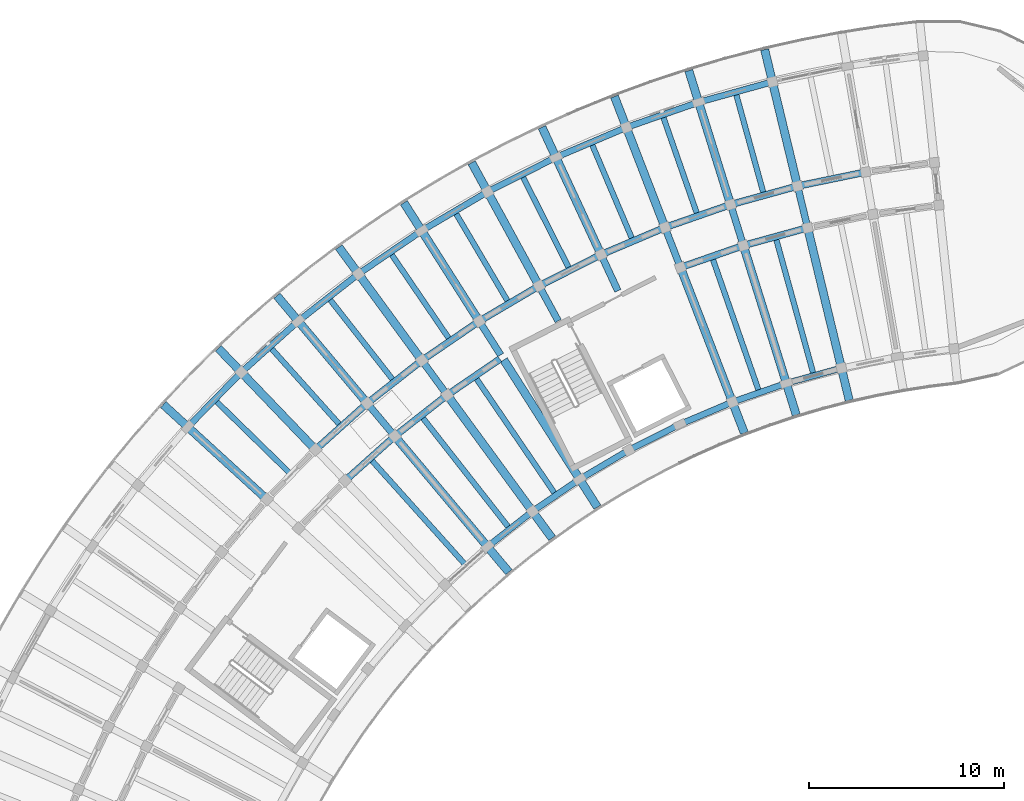
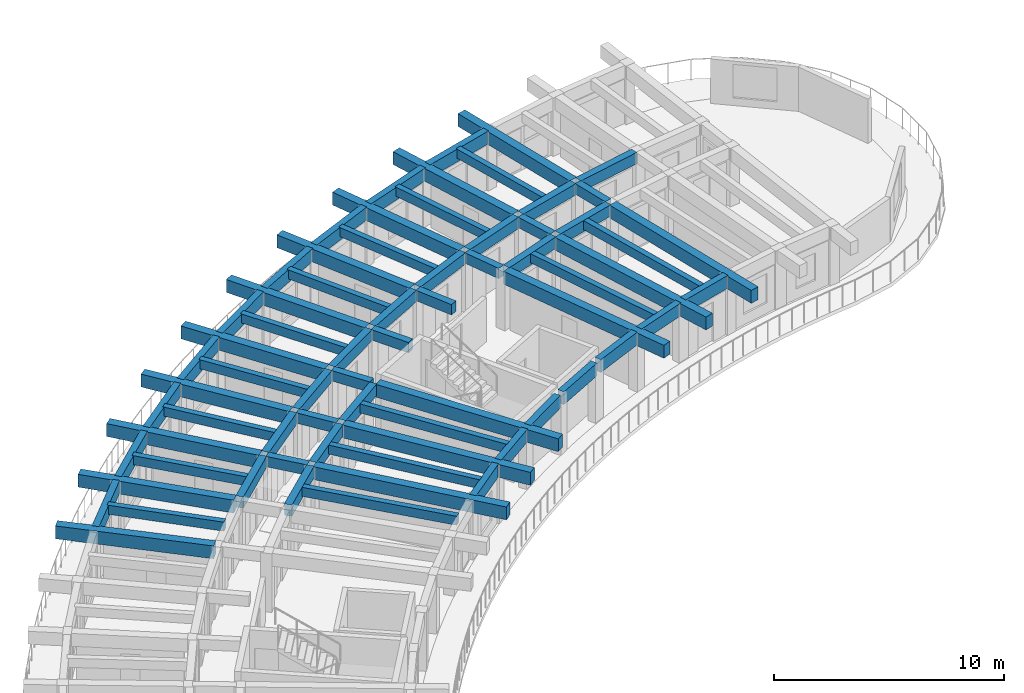
# One storey, part 15 of 83: 68 beams.
"""IFC4 building model written with IfcOpenShell, lengths in metres."""

from ifc_helpers import new_model, si_unit, direction, frame, origin, origin_2d, place, context, subcontext, project, spatial, rectangle, extrude, material, material_profile, profile_set, type_object, element, save


model = new_model("IFC4")

# Units and contexts
model_context = context("Model", 3, precision=1e-05, world=origin(), true_north=direction((0.0, 1.0)))
body_context = subcontext(model_context, "Body", "Model", "MODEL_VIEW")
ifc_project = project(units=[si_unit("LENGTHUNIT", "METRE"), si_unit("AREAUNIT", "SQUARE_METRE"), si_unit("VOLUMEUNIT", "CUBIC_METRE"), si_unit("PLANEANGLEUNIT", "RADIAN"), si_unit("MASSUNIT", "GRAM", prefix="KILO")], contexts=[model_context])

# Site, building, storey
site_placement = place(None, origin())
site = spatial("IfcSite", under=ifc_project, at=site_placement, CompositionType="ELEMENT")
building_placement = place(site_placement, origin())
building = spatial("IfcBuilding", under=site, at=building_placement, Name="Tanwirah Colonnade Gardens", CompositionType="ELEMENT")
storey_placement = place(building_placement, frame((0.0, 0.0, 25.639892578125)))
storey = spatial("IfcBuildingStorey", under=building, at=storey_placement, Name="L07", CompositionType="ELEMENT", Elevation=25.639892578125)

# Beams
ifc_material_1 = material(Name="Precast concrete C40/50", Category="concrete")
ifc_material_profile_1 = material_profile(ifc_material_1, rectangle(XDim=0.35009765625, YDim=0.550048828125, at=origin_2d()), Name="PC-BM 350x550")
ifc_profile_set_1 = profile_set([ifc_material_profile_1], Name="Precast concrete C40/50")
beam_type_1 = type_object("IfcBeamType", Name="BM-PC350A", PredefinedType="BEAM", material=ifc_profile_set_1)
beam_1_placement = place(storey_placement, frame((52.811767578125, 110.75146484375, 2.835205078125), z_axis=(-0.234364199778, 0.972148868159, 0.0), x_axis=(-0.972148868159, -0.234364199778, 0.0)))
element("IfcBeam", 1, at=beam_1_placement, inside=storey, type_object=beam_type_1, Name="Block A L07 Corridor Tie Beam 2", PredefinedType="BEAM", context=body_context, shape_type="SweptSolid", body=[
    extrude(rectangle(XDim=0.35009765625, YDim=0.550048828125, at=origin_2d()), origin(), (0.0, 0.0, 1.0), 1.900146484375),
])
for number, where, z_axis, x_axis, name in (
    (2, (49.507568359375, 109.838623046875, 2.835205078125), (-0.297857918398, 0.954610213882, 0.0), (-0.954610213882, -0.297857918398, 0.0), "Block A L07 Corridor Tie Beam 3"),
    (3, (46.270751953125, 108.7099609375, 2.835205078125), (-0.360175656082, 0.932884503444, 0.0), (-0.932884503444, -0.360175656082, 0.0), "Block A L07 Corridor Tie Beam 4"),
    (4, (43.115234375, 107.37060546875, 2.835205078125), (-0.420858322681, 0.90712638162, 0.0), (-0.90712638162, -0.420858322681, 0.0), "Block A L07 Corridor Tie Beam 5"),
    (5, (40.054931640625, 105.826171875, 2.835205078125), (-0.479707235792, 0.877428611301, 0.0), (-0.877428611301, -0.479707235792, 0.0), "Block A L07 Corridor Tie Beam 6"),
    (6, (37.10302734375, 104.08349609375, 2.835205078125), (-0.536509579595, 0.843894229749, 0.0), (-0.843894229749, -0.536509579595, 0.0), "Block A L07 Corridor Tie Beam 7"),
):
    element("IfcBeam", number, at=place(storey_placement, frame(where, z_axis=z_axis, x_axis=x_axis)), inside=storey, type_object=beam_type_1, Name=name, PredefinedType="BEAM", context=body_context, shape_type="SweptSolid", body=[
        extrude(rectangle(XDim=0.35009765625, YDim=0.550048828125, at=origin_2d()), origin(), (0.0, 0.0, 1.0), 1.89990234375),
    ])
beam_2_placement = place(storey_placement, frame((34.272216796875, 102.14990234375, 2.835205078125), z_axis=(-0.590895676149, 0.806747977939, 0.0), x_axis=(-0.806747977939, -0.590895676149, 0.0)))
element("IfcBeam", 7, at=beam_2_placement, inside=storey, type_object=beam_type_1, Name="Block A L07 Corridor Tie Beam 8", PredefinedType="BEAM", context=body_context, shape_type="SweptSolid", body=[
    extrude(rectangle(XDim=0.35009765625, YDim=0.550048828125, at=origin_2d()), origin(), (0.0, 0.0, 1.0), 1.900146484375),
])
beam_3_placement = place(storey_placement, frame((31.574951171875, 100.034423828125, 2.835205078125), z_axis=(-0.642797194343, 0.766036400535, 0.0), x_axis=(-0.766036400535, -0.642797194343, 0.0)))
element("IfcBeam", 8, at=beam_3_placement, inside=storey, type_object=beam_type_1, Name="Block A L07 Corridor Tie Beam 9", PredefinedType="BEAM", context=body_context, shape_type="SweptSolid", body=[
    extrude(rectangle(XDim=0.35009765625, YDim=0.550048828125, at=origin_2d()), origin(), (0.0, 0.0, 1.0), 1.89990234375),
])
ifc_material_profile_2 = material_profile(ifc_material_1, rectangle(XDim=0.35009765625, YDim=0.60009765625, at=origin_2d()), Name="PC-BM 350x600")
ifc_profile_set_2 = profile_set([ifc_material_profile_2], Name="Precast concrete C40/50")
beam_type_2 = type_object("IfcBeamType", Name="BM-PC350B", PredefinedType="BEAM", material=ifc_profile_set_2)
beam_4_placement = place(storey_placement, frame((55.673828125, 113.4345703125, 2.81005859375), z_axis=(-0.979335599813, -0.202241892146, 0.0), x_axis=(0.202241892146, -0.979335599813, 0.0)))
element("IfcBeam", 9, at=beam_4_placement, inside=storey, type_object=beam_type_2, Name="Block A L07 Circumferential Beam 1-R2", PredefinedType="BEAM", context=body_context, shape_type="SweptSolid", body=[
    extrude(rectangle(XDim=0.35009765625, YDim=0.60009765625, at=origin_2d()), origin(), (0.0, 0.0, 1.0), 3.262939453125),
])
beam_5_placement = place(storey_placement, frame((52.702392578125, 110.565673828125, 2.81005859375), z_axis=(-0.963894965188, -0.266282737114, 0.0), x_axis=(0.266282737114, -0.963894965188, 0.0)))
element("IfcBeam", 10, at=beam_5_placement, inside=storey, type_object=beam_type_2, Name="Block A L07 Circumferential Beam 2-R1", PredefinedType="BEAM", context=body_context, shape_type="SweptSolid", body=[
    extrude(rectangle(XDim=0.35009765625, YDim=0.60009765625, at=origin_2d()), origin(), (0.0, 0.0, 1.0), 3.1181640625),
])
beam_6_placement = place(storey_placement, frame((52.186767578125, 112.704345703125, 2.81005859375), z_axis=(-0.9638953302, -0.266281415833, 0.0), x_axis=(0.266281415833, -0.9638953302, 0.0)))
element("IfcBeam", 11, at=beam_6_placement, inside=storey, type_object=beam_type_2, Name="Block A L07 Circumferential Beam 2-R2", PredefinedType="BEAM", context=body_context, shape_type="SweptSolid", body=[
    extrude(rectangle(XDim=0.35009765625, YDim=0.60009765625, at=origin_2d()), origin(), (0.0, 0.0, 1.0), 3.26318359375),
])
beam_7_placement = place(storey_placement, frame((49.41064453125, 109.64599609375, 2.81005859375), z_axis=(-0.944248304077, -0.329234172358, 0.0), x_axis=(0.329234172358, -0.944248304077, 0.0)))
element("IfcBeam", 12, at=beam_7_placement, inside=storey, type_object=beam_type_2, Name="Block A L07 Circumferential Beam 3-R1", PredefinedType="BEAM", context=body_context, shape_type="SweptSolid", body=[
    extrude(rectangle(XDim=0.35009765625, YDim=0.60009765625, at=origin_2d()), origin(), (0.0, 0.0, 1.0), 3.1181640625),
])
for number, where, z_axis, x_axis, name in (
    (13, (48.755126953125, 111.74609375, 2.81005859375), (-0.944231021702, -0.329283734272, 0.0), (0.329283734272, -0.944231021702, 0.0), "Block A L07 Circumferential Beam 3-R2"),
    (14, (45.394287109375, 110.563720703125, 2.81005859375), (-0.920513294115, -0.390711242938, 0.0), (0.390711242938, -0.920513294115, 0.0), "Block A L07 Circumferential Beam 4-R2"),
):
    element("IfcBeam", number, at=place(storey_placement, frame(where, z_axis=z_axis, x_axis=x_axis)), inside=storey, type_object=beam_type_2, Name=name, PredefinedType="BEAM", context=body_context, shape_type="SweptSolid", body=[
        extrude(rectangle(XDim=0.35009765625, YDim=0.60009765625, at=origin_2d()), origin(), (0.0, 0.0, 1.0), 3.262939453125),
    ])
for number, where, z_axis, x_axis, name in (
    (15, (42.11865234375, 109.16259765625, 2.81005859375), (-0.89276014323, -0.450532270387, 0.0), (0.450532270387, -0.89276014323, 0.0), "Block A L07 Circumferential Beam 5-R2"),
    (16, (38.9423828125, 107.548583984375, 2.81005859375), (-0.861134978964, -0.508376384193, 0.0), (0.508376384193, -0.861134978964, 0.0), "Block A L07 Circumferential Beam 6-R2"),
):
    element("IfcBeam", number, at=place(storey_placement, frame(where, z_axis=z_axis, x_axis=x_axis)), inside=storey, type_object=beam_type_2, Name=name, PredefinedType="BEAM", context=body_context, shape_type="SweptSolid", body=[
        extrude(rectangle(XDim=0.35009765625, YDim=0.60009765625, at=origin_2d()), origin(), (0.0, 0.0, 1.0), 3.26318359375),
    ])
beam_8_placement = place(storey_placement, frame((37.0595703125, 103.872314453125, 2.81005859375), z_axis=(-0.825758291455, -0.564024152047, 0.0), x_axis=(0.564024152047, -0.825758291455, 0.0)))
element("IfcBeam", 17, at=beam_8_placement, inside=storey, type_object=beam_type_2, Name="Block A L07 Circumferential Beam 7-R1", PredefinedType="BEAM", context=body_context, shape_type="SweptSolid", body=[
    extrude(rectangle(XDim=0.35009765625, YDim=0.60009765625, at=origin_2d()), origin(), (0.0, 0.0, 1.0), 3.118408203125),
])
beam_9_placement = place(storey_placement, frame((35.87939453125, 105.728759765625, 2.81005859375), z_axis=(-0.825782284145, -0.563989024, 0.0), x_axis=(0.563989024, -0.825782284145, 0.0)))
element("IfcBeam", 18, at=beam_9_placement, inside=storey, type_object=beam_type_2, Name="Block A L07 Circumferential Beam 7-R2", PredefinedType="BEAM", context=body_context, shape_type="SweptSolid", body=[
    extrude(rectangle(XDim=0.35009765625, YDim=0.60009765625, at=origin_2d()), origin(), (0.0, 0.0, 1.0), 3.26318359375),
])
beam_10_placement = place(storey_placement, frame((34.242919921875, 101.9365234375, 2.81005859375), z_axis=(-0.78679899272, -0.617209320292, 0.0), x_axis=(0.617209320292, -0.78679899272, 0.0)))
element("IfcBeam", 19, at=beam_10_placement, inside=storey, type_object=beam_type_2, Name="Block A L07 Circumferential Beam 8-R1", PredefinedType="BEAM", context=body_context, shape_type="SweptSolid", body=[
    extrude(rectangle(XDim=0.35009765625, YDim=0.60009765625, at=origin_2d()), origin(), (0.0, 0.0, 1.0), 3.1181640625),
])
beam_11_placement = place(storey_placement, frame((32.94287109375, 103.711181640625, 2.81005859375), z_axis=(-0.786839882256, -0.617157192044, 0.0), x_axis=(0.617157192044, -0.786839882256, 0.0)))
element("IfcBeam", 20, at=beam_11_placement, inside=storey, type_object=beam_type_2, Name="Block A L07 Circumferential Beam 8-R2", PredefinedType="BEAM", context=body_context, shape_type="SweptSolid", body=[
    extrude(rectangle(XDim=0.35009765625, YDim=0.60009765625, at=origin_2d()), origin(), (0.0, 0.0, 1.0), 3.26318359375),
])
beam_12_placement = place(storey_placement, frame((31.559814453125, 99.8193359375, 2.81005859375), z_axis=(-0.744429866059, -0.667700662363, 0.0), x_axis=(0.667700662363, -0.744429866059, 0.0)))
element("IfcBeam", 21, at=beam_12_placement, inside=storey, type_object=beam_type_2, Name="Block A L07 Circumferential Beam 9-R1", PredefinedType="BEAM", context=body_context, shape_type="SweptSolid", body=[
    extrude(rectangle(XDim=0.35009765625, YDim=0.60009765625, at=origin_2d()), origin(), (0.0, 0.0, 1.0), 3.1181640625),
])
beam_13_placement = place(storey_placement, frame((30.145751953125, 101.504638671875, 2.81005859375), z_axis=(-0.744409136578, -0.667723773262, 0.0), x_axis=(0.667723773262, -0.744409136578, 0.0)))
element("IfcBeam", 22, at=beam_13_placement, inside=storey, type_object=beam_type_2, Name="Block A L07 Circumferential Beam 9-R2", PredefinedType="BEAM", context=body_context, shape_type="SweptSolid", body=[
    extrude(rectangle(XDim=0.35009765625, YDim=0.60009765625, at=origin_2d()), origin(), (0.0, 0.0, 1.0), 3.26318359375),
])
ifc_material_2 = material(Name="Precast concrete C45/55", Category="concrete")
ifc_material_profile_3 = material_profile(ifc_material_2, rectangle(XDim=0.419921875, YDim=0.679931640625, at=origin_2d()), Name="PC-BM 420x680")
ifc_profile_set_3 = profile_set([ifc_material_profile_3], Name="Precast concrete C45/55")
beam_type_3 = type_object("IfcBeamType", Name="BM-PC420", PredefinedType="BEAM", material=ifc_profile_set_3)
beam_14_placement = place(storey_placement, frame((52.882080078125, 110.459716796875, 2.77001953125), z_axis=(0.234401428133, -0.972139892448, 0.0), x_axis=(0.972139892448, 0.234401428133, 0.0)))
element("IfcBeam", 23, at=beam_14_placement, inside=storey, type_object=beam_type_3, Name="Block A L07 Inner Radial Precast Girder 2", PredefinedType="BEAM", context=body_context, shape_type="SweptSolid", body=[
    extrude(rectangle(XDim=0.419921875, YDim=0.679931640625, at=origin_2d()), origin(), (0.0, 0.0, 1.0), 8.949951171875),
])
beam_15_placement = place(storey_placement, frame((52.296142578125, 112.89013671875, 2.77001953125), z_axis=(-0.234378734126, 0.972145364125, 0.0), x_axis=(-0.972145364125, -0.234378734126, 0.0)))
element("IfcBeam", 24, at=beam_15_placement, inside=storey, type_object=beam_type_3, Name="Block A L07 Outer Radial Precast Girder 2", PredefinedType="BEAM", context=body_context, shape_type="SweptSolid", body=[
    extrude(rectangle(XDim=0.419921875, YDim=0.679931640625, at=origin_2d()), origin(), (0.0, 0.0, 1.0), 7.0498046875),
])
beam_16_placement = place(storey_placement, frame((49.596923828125, 109.55224609375, 2.77001953125), z_axis=(0.29792861283, -0.9545881529, 0.0), x_axis=(0.9545881529, 0.29792861283, 0.0)))
element("IfcBeam", 25, at=beam_16_placement, inside=storey, type_object=beam_type_3, Name="Block A L07 Inner Radial Precast Girder 3", PredefinedType="BEAM", context=body_context, shape_type="SweptSolid", body=[
    extrude(rectangle(XDim=0.419921875, YDim=0.679931640625, at=origin_2d()), origin(), (0.0, 0.0, 1.0), 8.9501953125),
])
beam_17_placement = place(storey_placement, frame((48.852294921875, 111.938720703125, 2.77001953125), z_axis=(-0.297957513373, 0.954579132511, 0.0), x_axis=(-0.954579132511, -0.297957513373, 0.0)))
element("IfcBeam", 26, at=beam_17_placement, inside=storey, type_object=beam_type_3, Name="Block A L07 Outer Radial Precast Girder 3", PredefinedType="BEAM", context=body_context, shape_type="SweptSolid", body=[
    extrude(rectangle(XDim=0.419921875, YDim=0.679931640625, at=origin_2d()), origin(), (0.0, 0.0, 1.0), 7.050048828125),
])
beam_18_placement = place(storey_placement, frame((46.37890625, 108.43017578125, 2.77001953125), z_axis=(0.360155980892, -0.932892099563, 0.0), x_axis=(0.932892099563, 0.360155980892, 0.0)))
element("IfcBeam", 27, at=beam_18_placement, inside=storey, type_object=beam_type_3, Name="Block A L07 Inner Radial Precast Girder 4", PredefinedType="BEAM", context=body_context, shape_type="SweptSolid", body=[
    extrude(rectangle(XDim=0.419921875, YDim=0.679931640625, at=origin_2d()), origin(), (0.0, 0.0, 1.0), 8.949951171875),
])
for number, where, z_axis, x_axis, name in (
    (28, (45.478271484375, 110.76220703125, 2.77001953125), (-0.360150678391, 0.932894146651, 0.0), (-0.932894146651, -0.360150678391, 0.0), "Block A L07 Outer Radial Precast Girder 4"),
    (29, (42.189453125, 109.3662109375, 2.77001953125), (-0.420855908645, 0.9071275016, 0.0), (-0.9071275016, -0.420855908645, 0.0), "Block A L07 Outer Radial Precast Girder 5"),
    (30, (38.99951171875, 107.75634765625, 2.77001953125), (-0.479686549155, 0.877439920769, 0.0), (-0.877439920769, -0.479686549155, 0.0), "Block A L07 Outer Radial Precast Girder 6"),
):
    element("IfcBeam", number, at=place(storey_placement, frame(where, z_axis=z_axis, x_axis=x_axis)), inside=storey, type_object=beam_type_3, Name=name, PredefinedType="BEAM", context=body_context, shape_type="SweptSolid", body=[
        extrude(rectangle(XDim=0.419921875, YDim=0.679931640625, at=origin_2d()), origin(), (0.0, 0.0, 1.0), 7.050048828125),
    ])
beam_19_placement = place(storey_placement, frame((37.263916015625, 103.830322265625, 2.77001953125), z_axis=(0.536483588607, -0.843910753075, 0.0), x_axis=(0.843910753075, 0.536483588607, 0.0)))
element("IfcBeam", 31, at=beam_19_placement, inside=storey, type_object=beam_type_3, Name="Block A L07 Inner Radial Precast Girder 7", PredefinedType="BEAM", context=body_context, shape_type="SweptSolid", body=[
    extrude(rectangle(XDim=0.419921875, YDim=0.679931640625, at=origin_2d()), origin(), (0.0, 0.0, 1.0), 8.949951171875),
])
beam_20_placement = place(storey_placement, frame((35.922607421875, 105.93994140625, 2.77001953125), z_axis=(-0.536476584537, 0.8439152056, 0.0), x_axis=(-0.8439152056, -0.536476584537, 0.0)))
element("IfcBeam", 32, at=beam_20_placement, inside=storey, type_object=beam_type_3, Name="Block A L07 Outer Radial Precast Girder 7", PredefinedType="BEAM", context=body_context, shape_type="SweptSolid", body=[
    extrude(rectangle(XDim=0.419921875, YDim=0.679931640625, at=origin_2d()), origin(), (0.0, 0.0, 1.0), 7.050048828125),
])
beam_21_placement = place(storey_placement, frame((34.449462890625, 101.907958984375, 2.77001953125), z_axis=(0.590927205009, -0.806724883947, 0.0), x_axis=(0.806724883947, 0.590927205009, 0.0)))
element("IfcBeam", 33, at=beam_21_placement, inside=storey, type_object=beam_type_3, Name="Block A L07 Inner Radial Precast Girder 8", PredefinedType="BEAM", context=body_context, shape_type="SweptSolid", body=[
    extrude(rectangle(XDim=0.419921875, YDim=0.679931640625, at=origin_2d()), origin(), (0.0, 0.0, 1.0), 8.949951171875),
])
beam_22_placement = place(storey_placement, frame((32.97216796875, 103.9248046875, 2.77001953125), z_axis=(-0.590919194225, 0.806730751798, 0.0), x_axis=(-0.806730751798, -0.590919194225, 0.0)))
element("IfcBeam", 34, at=beam_22_placement, inside=storey, type_object=beam_type_3, Name="Block A L07 Outer Radial Precast Girder 8", PredefinedType="BEAM", context=body_context, shape_type="SweptSolid", body=[
    extrude(rectangle(XDim=0.419921875, YDim=0.679931640625, at=origin_2d()), origin(), (0.0, 0.0, 1.0), 7.050048828125),
])
beam_23_placement = place(storey_placement, frame((31.767822265625, 99.804443359375, 2.77001953125), z_axis=(0.64279407932, -0.766039014406, 0.0), x_axis=(0.766039014406, 0.64279407932, 0.0)))
element("IfcBeam", 35, at=beam_23_placement, inside=storey, type_object=beam_type_3, Name="Block A L07 Inner Radial Precast Girder 9", PredefinedType="BEAM", context=body_context, shape_type="SweptSolid", body=[
    extrude(rectangle(XDim=0.419921875, YDim=0.679931640625, at=origin_2d()), origin(), (0.0, 0.0, 1.0), 8.949951171875),
])
beam_24_placement = place(storey_placement, frame((30.160888671875, 101.7197265625, 2.77001953125), z_axis=(-0.642810291951, 0.766025409867, 0.0), x_axis=(-0.766025409867, -0.642810291951, 0.0)))
element("IfcBeam", 36, at=beam_24_placement, inside=storey, type_object=beam_type_3, Name="Block A L07 Outer Radial Precast Girder 9", PredefinedType="BEAM", context=body_context, shape_type="SweptSolid", body=[
    extrude(rectangle(XDim=0.419921875, YDim=0.679931640625, at=origin_2d()), origin(), (0.0, 0.0, 1.0), 7.0498046875),
])
for number, where, z_axis, x_axis, name in (
    (37, (27.5009765625, 99.333984375, 2.77001953125), (-0.691864746793, 0.722027127015, 0.0), (-0.722027127015, -0.691864746793, 0.0), "Block A L07 Outer Radial Precast Girder 10"),
    (38, (25.004150390625, 96.7783203125, 2.77001953125), (-0.737934199263, 0.674872667663, 0.0), (-0.674872667663, -0.737934199263, 0.0), "Block A L07 Outer Radial Precast Girder 11"),
):
    element("IfcBeam", number, at=place(storey_placement, frame(where, z_axis=z_axis, x_axis=x_axis)), inside=storey, type_object=beam_type_3, Name=name, PredefinedType="BEAM", context=body_context, shape_type="SweptSolid", body=[
        extrude(rectangle(XDim=0.419921875, YDim=0.679931640625, at=origin_2d()), origin(), (0.0, 0.0, 1.0), 7.050048828125),
    ])
ifc_material_profile_4 = material_profile(ifc_material_1, rectangle(XDim=0.280029296875, YDim=0.47998046875, at=origin_2d()), Name="PC-JST 280x480")
ifc_profile_set_4 = profile_set([ifc_material_profile_4], Name="Precast concrete C40/50")
beam_type_4 = type_object("IfcBeamType", Name="JST-PC280", PredefinedType="JOIST", material=ifc_profile_set_4)
beam_25_placement = place(storey_placement, frame((50.57421875, 112.413818359375, 2.8701171875), z_axis=(-0.266281476085, 0.963895313555, 0.0), x_axis=(-0.963895313555, -0.266281476085, 0.0)))
element("IfcBeam", 39, at=beam_25_placement, inside=storey, type_object=beam_type_4, Name="Block A L07 Precast Floor Joist 2", PredefinedType="JOIST", context=body_context, shape_type="SweptSolid", body=[
    extrude(rectangle(XDim=0.280029296875, YDim=0.47998046875, at=origin_2d()), origin(), (0.0, 0.0, 1.0), 5.260009765625),
])
beam_26_placement = place(storey_placement, frame((53.130859375, 103.16064453125, 2.8701171875), z_axis=(-0.266307034535, 0.963888252526, 0.0), x_axis=(-0.963888252526, -0.266307034535, 0.0)))
element("IfcBeam", 40, at=beam_26_placement, inside=storey, type_object=beam_type_4, Name="Block A L07 Inner Precast Floor Joist 2", PredefinedType="JOIST", context=body_context, shape_type="SweptSolid", body=[
    extrude(rectangle(XDim=0.280029296875, YDim=0.47998046875, at=origin_2d()), origin(), (0.0, 0.0, 1.0), 7.159912109375),
])
beam_27_placement = place(storey_placement, frame((47.16552734375, 111.349853515625, 2.8701171875), z_axis=(-0.3292586038, 0.944239785131, 0.0), x_axis=(-0.944239785131, -0.3292586038, 0.0)))
element("IfcBeam", 41, at=beam_27_placement, inside=storey, type_object=beam_type_4, Name="Block A L07 Precast Floor Joist 3", PredefinedType="JOIST", context=body_context, shape_type="SweptSolid", body=[
    extrude(rectangle(XDim=0.280029296875, YDim=0.47998046875, at=origin_2d()), origin(), (0.0, 0.0, 1.0), 5.260009765625),
])
beam_28_placement = place(storey_placement, frame((50.326171875, 102.28515625, 2.8701171875), z_axis=(-0.329250558112, 0.944242590642, 0.0), x_axis=(-0.944242590642, -0.329250558112, 0.0)))
element("IfcBeam", 42, at=beam_28_placement, inside=storey, type_object=beam_type_4, Name="Block A L07 Inner Precast Floor Joist 3", PredefinedType="JOIST", context=body_context, shape_type="SweptSolid", body=[
    extrude(rectangle(XDim=0.280029296875, YDim=0.47998046875, at=origin_2d()), origin(), (0.0, 0.0, 1.0), 7.159912109375),
])
beam_29_placement = place(storey_placement, frame((43.833984375, 110.063720703125, 2.8701171875), z_axis=(-0.390723870106, 0.92050793442, 0.0), x_axis=(-0.92050793442, -0.390723870106, 0.0)))
element("IfcBeam", 43, at=beam_29_placement, inside=storey, type_object=beam_type_4, Name="Block A L07 Precast Floor Joist 4", PredefinedType="JOIST", context=body_context, shape_type="SweptSolid", body=[
    extrude(rectangle(XDim=0.280029296875, YDim=0.47998046875, at=origin_2d()), origin(), (0.0, 0.0, 1.0), 5.260009765625),
])
for number, where, z_axis, x_axis, name in (
    (44, (40.5947265625, 108.560791015625, 2.8701171875), (-0.450533699488, 0.892759422031, 0.0), (-0.892759422031, -0.450533699488, 0.0), "Block A L07 Precast Floor Joist 5"),
    (45, (37.46142578125, 106.84765625, 2.8701171875), (-0.508360236823, 0.86114451146, 0.0), (-0.86114451146, -0.508360236823, 0.0), "Block A L07 Precast Floor Joist 6"),
):
    element("IfcBeam", number, at=place(storey_placement, frame(where, z_axis=z_axis, x_axis=x_axis)), inside=storey, type_object=beam_type_4, Name=name, PredefinedType="JOIST", context=body_context, shape_type="SweptSolid", body=[
        extrude(rectangle(XDim=0.280029296875, YDim=0.47998046875, at=origin_2d()), origin(), (0.0, 0.0, 1.0), 5.26025390625),
    ])
beam_30_placement = place(storey_placement, frame((34.44775390625, 104.931884765625, 2.8701171875), z_axis=(-0.563973225998, 0.825793073571, 0.0), x_axis=(-0.825793073571, -0.563973225998, 0.0)))
element("IfcBeam", 46, at=beam_30_placement, inside=storey, type_object=beam_type_4, Name="Block A L07 Precast Floor Joist 7", PredefinedType="JOIST", context=body_context, shape_type="SweptSolid", body=[
    extrude(rectangle(XDim=0.280029296875, YDim=0.47998046875, at=origin_2d()), origin(), (0.0, 0.0, 1.0), 5.260009765625),
])
beam_31_placement = place(storey_placement, frame((39.8623046875, 97.004638671875, 2.8701171875), z_axis=(-0.564021195806, 0.825760310672, 0.0), x_axis=(-0.825760310672, -0.564021195806, 0.0)))
element("IfcBeam", 47, at=beam_31_placement, inside=storey, type_object=beam_type_4, Name="Block A L07 Inner Precast Floor Joist 7", PredefinedType="JOIST", context=body_context, shape_type="SweptSolid", body=[
    extrude(rectangle(XDim=0.280029296875, YDim=0.47998046875, at=origin_2d()), origin(), (0.0, 0.0, 1.0), 7.159912109375),
])
beam_32_placement = place(storey_placement, frame((31.56689453125, 102.82177734375, 2.8701171875), z_axis=(-0.617177687243, 0.786823806433, 0.0), x_axis=(-0.786823806433, -0.617177687243, 0.0)))
element("IfcBeam", 48, at=beam_32_placement, inside=storey, type_object=beam_type_4, Name="Block A L07 Precast Floor Joist 8", PredefinedType="JOIST", context=body_context, shape_type="SweptSolid", body=[
    extrude(rectangle(XDim=0.280029296875, YDim=0.47998046875, at=origin_2d()), origin(), (0.0, 0.0, 1.0), 5.260009765625),
])
beam_33_placement = place(storey_placement, frame((37.491943359375, 95.268310546875, 2.8701171875), z_axis=(-0.617202438917, 0.786804390808, 0.0), x_axis=(-0.786804390808, -0.617202438917, 0.0)))
element("IfcBeam", 49, at=beam_33_placement, inside=storey, type_object=beam_type_4, Name="Block A L07 Inner Precast Floor Joist 8", PredefinedType="JOIST", context=body_context, shape_type="SweptSolid", body=[
    extrude(rectangle(XDim=0.280029296875, YDim=0.47998046875, at=origin_2d()), origin(), (0.0, 0.0, 1.0), 7.159912109375),
])
beam_34_placement = place(storey_placement, frame((28.831298828125, 100.5263671875, 2.8701171875), z_axis=(-0.667678987176, 0.744449306591, 0.0), x_axis=(-0.744449306591, -0.667678987176, 0.0)))
element("IfcBeam", 50, at=beam_34_placement, inside=storey, type_object=beam_type_4, Name="Block A L07 Precast Floor Joist 9", PredefinedType="JOIST", context=body_context, shape_type="SweptSolid", body=[
    extrude(rectangle(XDim=0.280029296875, YDim=0.47998046875, at=origin_2d()), origin(), (0.0, 0.0, 1.0), 5.260009765625),
])
beam_35_placement = place(storey_placement, frame((35.2412109375, 93.379638671875, 2.8701171875), z_axis=(-0.667688404274, 0.744440860511, 0.0), x_axis=(-0.744440860511, -0.667688404274, 0.0)))
element("IfcBeam", 51, at=beam_35_placement, inside=storey, type_object=beam_type_4, Name="Block A L07 Inner Precast Floor Joist 9", PredefinedType="JOIST", context=body_context, shape_type="SweptSolid", body=[
    extrude(rectangle(XDim=0.280029296875, YDim=0.47998046875, at=origin_2d()), origin(), (0.0, 0.0, 1.0), 7.16015625),
])
beam_36_placement = place(storey_placement, frame((26.2529296875, 98.0556640625, 2.8701171875), z_axis=(-0.715297399369, 0.698820170327, 0.0), x_axis=(-0.698820170327, -0.715297399369, 0.0)))
element("IfcBeam", 52, at=beam_36_placement, inside=storey, type_object=beam_type_4, Name="Block A L07 Precast Floor Joist 10", PredefinedType="JOIST", context=body_context, shape_type="SweptSolid", body=[
    extrude(rectangle(XDim=0.280029296875, YDim=0.47998046875, at=origin_2d()), origin(), (0.0, 0.0, 1.0), 5.260009765625),
])
ifc_material_profile_5 = material_profile(ifc_material_2, rectangle(XDim=0.320068359375, YDim=0.679931640625, at=origin_2d()), Name="PC-SP 320x680")
ifc_profile_set_5 = profile_set([ifc_material_profile_5], Name="Precast concrete C45/55")
beam_type_5 = type_object("IfcBeamType", Name="SP-PC320", PredefinedType="SPANDREL", material=ifc_profile_set_5)
beam_37_placement = place(storey_placement, frame((54.436767578125, 103.371826171875, 2.77001953125), z_axis=(-0.96388669146, -0.266312684688, 0.0), x_axis=(0.266312684688, -0.96388669146, 0.0)))
element("IfcBeam", 53, at=beam_37_placement, inside=storey, type_object=beam_type_5, Name="Block A L07 Circumferential Beam 2-R0", PredefinedType="SPANDREL", context=body_context, shape_type="SweptSolid", body=[
    extrude(rectangle(XDim=0.320068359375, YDim=0.679931640625, at=origin_2d()), origin(), (0.0, 0.0, 1.0), 2.630126953125),
])
beam_38_placement = place(storey_placement, frame((50.897705078125, 118.05126953125, 2.77001953125), z_axis=(-0.963888380927, -0.266306569792, 0.0), x_axis=(0.266306569792, -0.963888380927, 0.0)))
element("IfcBeam", 54, at=beam_38_placement, inside=storey, type_object=beam_type_5, Name="Block A L07 Circumferential Beam 2-R3", PredefinedType="SPANDREL", context=body_context, shape_type="SweptSolid", body=[
    extrude(rectangle(XDim=0.320068359375, YDim=0.679931640625, at=origin_2d()), origin(), (0.0, 0.0, 1.0), 3.625732421875),
])
beam_39_placement = place(storey_placement, frame((51.615478515625, 102.58203125, 2.77001953125), z_axis=(-0.944249847334, -0.32922974624, 0.0), x_axis=(0.32922974624, -0.944249847334, 0.0)))
element("IfcBeam", 55, at=beam_39_placement, inside=storey, type_object=beam_type_5, Name="Block A L07 Circumferential Beam 3-R0", PredefinedType="SPANDREL", context=body_context, shape_type="SweptSolid", body=[
    extrude(rectangle(XDim=0.320068359375, YDim=0.679931640625, at=origin_2d()), origin(), (0.0, 0.0, 1.0), 2.63037109375),
])
beam_40_placement = place(storey_placement, frame((47.11669921875, 116.996337890625, 2.77001953125), z_axis=(-0.944236700093, -0.329267450863, 0.0), x_axis=(0.329267450863, -0.944236700093, 0.0)))
element("IfcBeam", 56, at=beam_40_placement, inside=storey, type_object=beam_type_5, Name="Block A L07 Circumferential Beam 3-R3", PredefinedType="SPANDREL", context=body_context, shape_type="SweptSolid", body=[
    extrude(rectangle(XDim=0.320068359375, YDim=0.679931640625, at=origin_2d()), origin(), (0.0, 0.0, 1.0), 3.625732421875),
])
beam_41_placement = place(storey_placement, frame((48.85205078125, 101.608154296875, 2.77001953125), z_axis=(-0.920488719784, -0.390769134848, 0.0), x_axis=(0.390769134848, -0.920488719784, 0.0)))
element("IfcBeam", 57, at=beam_41_placement, inside=storey, type_object=beam_type_5, Name="Block A L07 Circumferential Beam 4-R0", PredefinedType="SPANDREL", context=body_context, shape_type="SweptSolid", body=[
    extrude(rectangle(XDim=0.320068359375, YDim=0.679931640625, at=origin_2d()), origin(), (0.0, 0.0, 1.0), 2.63037109375),
])
beam_42_placement = place(storey_placement, frame((43.413330078125, 115.694580078125, 2.77001953125), z_axis=(-0.920494456807, -0.390755620545, 0.0), x_axis=(0.390755620545, -0.920494456807, 0.0)))
element("IfcBeam", 58, at=beam_42_placement, inside=storey, type_object=beam_type_5, Name="Block A L07 Circumferential Beam 4-R3", PredefinedType="SPANDREL", context=body_context, shape_type="SweptSolid", body=[
    extrude(rectangle(XDim=0.320068359375, YDim=0.679931640625, at=origin_2d()), origin(), (0.0, 0.0, 1.0), 3.625732421875),
])
beam_43_placement = place(storey_placement, frame((46.158935546875, 100.4541015625, 2.77001953125), z_axis=(-0.892769015158, -0.450514689632, 0.0), x_axis=(0.450514689632, -0.892769015158, 0.0)))
element("IfcBeam", 59, at=beam_43_placement, inside=storey, type_object=beam_type_5, Name="Block A L07 Circumferential Beam 5-R0", PredefinedType="SPANDREL", context=body_context, shape_type="SweptSolid", body=[
    extrude(rectangle(XDim=0.320068359375, YDim=0.679931640625, at=origin_2d()), origin(), (0.0, 0.0, 1.0), 2.63037109375),
])
beam_44_placement = place(storey_placement, frame((39.803955078125, 114.15185546875, 2.77001953125), z_axis=(-0.892764670911, -0.450523298368, 0.0), x_axis=(0.450523298368, -0.892764670911, 0.0)))
element("IfcBeam", 60, at=beam_44_placement, inside=storey, type_object=beam_type_5, Name="Block A L07 Circumferential Beam 5-R3", PredefinedType="SPANDREL", context=body_context, shape_type="SweptSolid", body=[
    extrude(rectangle(XDim=0.320068359375, YDim=0.679931640625, at=origin_2d()), origin(), (0.0, 0.0, 1.0), 3.6259765625),
])
beam_45_placement = place(storey_placement, frame((43.547607421875, 99.125244140625, 2.77001953125), z_axis=(-0.861148181788, -0.508354019363, 0.0), x_axis=(0.508354019363, -0.861148181788, 0.0)))
element("IfcBeam", 61, at=beam_45_placement, inside=storey, type_object=beam_type_5, Name="Block A L07 Circumferential Beam 6-R0", PredefinedType="SPANDREL", context=body_context, shape_type="SweptSolid", body=[
    extrude(rectangle(XDim=0.320068359375, YDim=0.679931640625, at=origin_2d()), origin(), (0.0, 0.0, 1.0), 2.63037109375),
])
beam_46_placement = place(storey_placement, frame((36.303955078125, 112.37451171875, 2.77001953125), z_axis=(-0.861136912545, -0.5083731089, 0.0), x_axis=(0.5083731089, -0.861136912545, 0.0)))
element("IfcBeam", 62, at=beam_46_placement, inside=storey, type_object=beam_type_5, Name="Block A L07 Circumferential Beam 6-R3", PredefinedType="SPANDREL", context=body_context, shape_type="SweptSolid", body=[
    extrude(rectangle(XDim=0.320068359375, YDim=0.679931640625, at=origin_2d()), origin(), (0.0, 0.0, 1.0), 3.625732421875),
])
beam_47_placement = place(storey_placement, frame((41.029541015625, 97.627197265625, 2.77001953125), z_axis=(-0.825800981874, -0.563961646158, 0.0), x_axis=(0.563961646158, -0.825800981874, 0.0)))
element("IfcBeam", 63, at=beam_47_placement, inside=storey, type_object=beam_type_5, Name="Block A L07 Circumferential Beam 7-R0", PredefinedType="SPANDREL", context=body_context, shape_type="SweptSolid", body=[
    extrude(rectangle(XDim=0.320068359375, YDim=0.679931640625, at=origin_2d()), origin(), (0.0, 0.0, 1.0), 2.63037109375),
])
beam_48_placement = place(storey_placement, frame((32.9287109375, 110.370361328125, 2.77001953125), z_axis=(-0.825782625102, -0.563988524776, 0.0), x_axis=(0.563988524776, -0.825782625102, 0.0)))
element("IfcBeam", 64, at=beam_48_placement, inside=storey, type_object=beam_type_5, Name="Block A L07 Circumferential Beam 7-R3", PredefinedType="SPANDREL", context=body_context, shape_type="SweptSolid", body=[
    extrude(rectangle(XDim=0.320068359375, YDim=0.679931640625, at=origin_2d()), origin(), (0.0, 0.0, 1.0), 3.625732421875),
])
beam_49_placement = place(storey_placement, frame((38.61572265625, 95.966552734375, 2.77001953125), z_axis=(-0.786836625031, -0.617161344795, 0.0), x_axis=(0.617161344795, -0.786836625031, 0.0)))
element("IfcBeam", 65, at=beam_49_placement, inside=storey, type_object=beam_type_5, Name="Block A L07 Circumferential Beam 8-R0", PredefinedType="SPANDREL", context=body_context, shape_type="SweptSolid", body=[
    extrude(rectangle(XDim=0.320068359375, YDim=0.679931640625, at=origin_2d()), origin(), (0.0, 0.0, 1.0), 2.63037109375),
])
beam_50_placement = place(storey_placement, frame((29.69287109375, 108.148193359375, 2.77001953125), z_axis=(-0.786843799845, -0.617152197311, 0.0), x_axis=(0.617152197311, -0.786843799845, 0.0)))
element("IfcBeam", 66, at=beam_50_placement, inside=storey, type_object=beam_type_5, Name="Block A L07 Circumferential Beam 8-R3", PredefinedType="SPANDREL", context=body_context, shape_type="SweptSolid", body=[
    extrude(rectangle(XDim=0.320068359375, YDim=0.679931640625, at=origin_2d()), origin(), (0.0, 0.0, 1.0), 3.62548828125),
])
beam_51_placement = place(storey_placement, frame((26.6103515625, 105.7177734375, 2.77001953125), z_axis=(-0.744444790955, -0.667684021989, 0.0), x_axis=(0.667684021989, -0.744444790955, 0.0)))
element("IfcBeam", 67, at=beam_51_placement, inside=storey, type_object=beam_type_5, Name="Block A L07 Circumferential Beam 9-R3", PredefinedType="SPANDREL", context=body_context, shape_type="SweptSolid", body=[
    extrude(rectangle(XDim=0.320068359375, YDim=0.679931640625, at=origin_2d()), origin(), (0.0, 0.0, 1.0), 3.625732421875),
])
beam_52_placement = place(storey_placement, frame((23.69482421875, 103.089599609375, 2.77001953125), z_axis=(-0.698844493997, -0.715273635199, 0.0), x_axis=(0.715273635199, -0.698844493997, 0.0)))
element("IfcBeam", 68, at=beam_52_placement, inside=storey, type_object=beam_type_5, Name="Block A L07 Circumferential Beam 10-R3", PredefinedType="SPANDREL", context=body_context, shape_type="SweptSolid", body=[
    extrude(rectangle(XDim=0.320068359375, YDim=0.679931640625, at=origin_2d()), origin(), (0.0, 0.0, 1.0), 3.6259765625),
])

save(model, "model.ifc")
